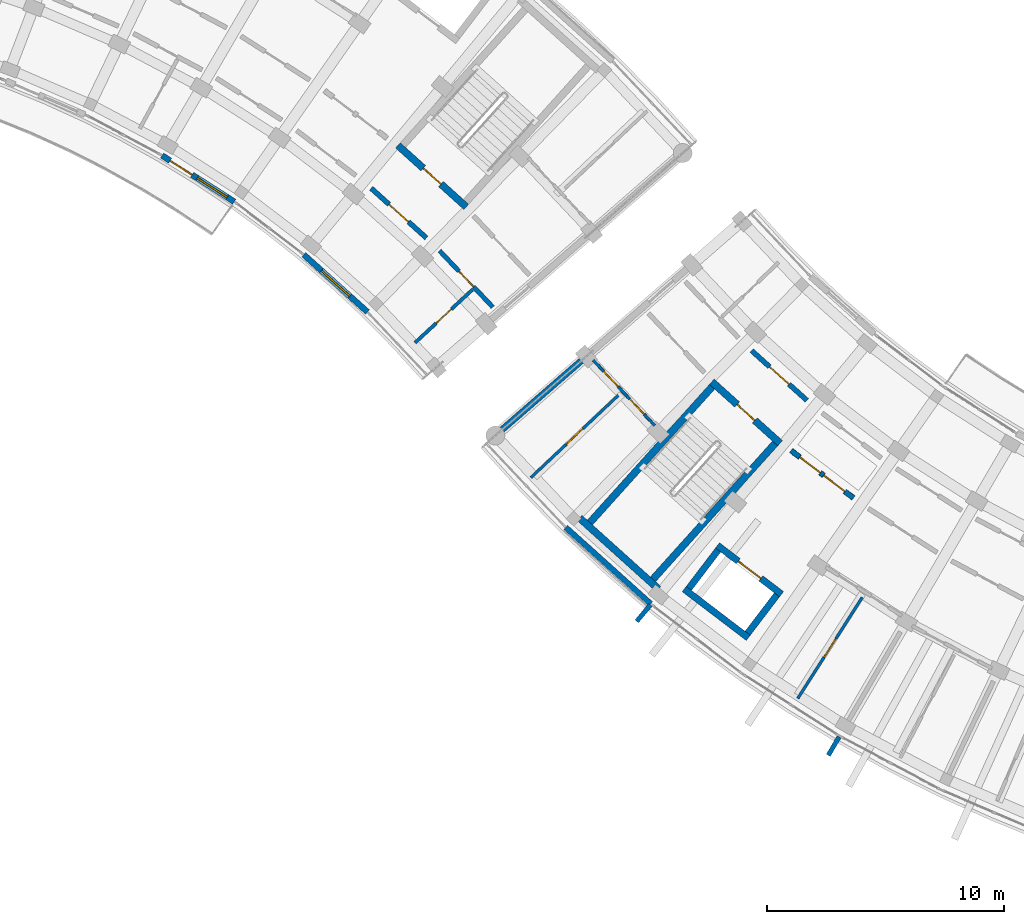
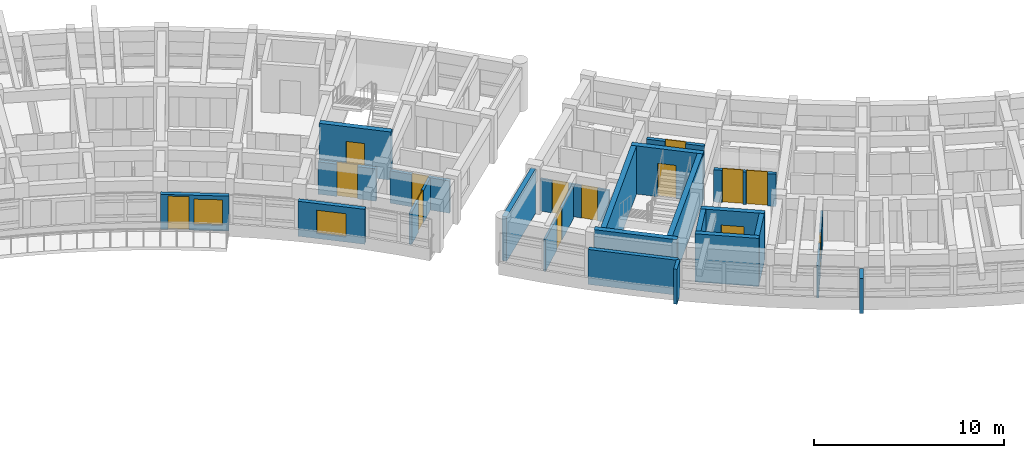
# One storey, part 32 of 56: 23 walls, 14 doors, 2 windows, 16 openings.
"""IFC4 building model written with IfcOpenShell, lengths in metres."""

from ifc_helpers import new_model, si_unit, direction, frame, frame_2d, origin, place, context, subcontext, project, spatial, rectangle, extrude, material, layer, layer_set, type_object, element, fill, save


model = new_model("IFC4")

# Units and contexts
model_context = context("Model", 3, precision=1e-05, world=origin(), true_north=direction((0.0, 1.0)))
body_context = subcontext(model_context, "Body", "Model", "MODEL_VIEW")
ifc_project = project(units=[si_unit("LENGTHUNIT", "METRE"), si_unit("AREAUNIT", "SQUARE_METRE"), si_unit("VOLUMEUNIT", "CUBIC_METRE"), si_unit("PLANEANGLEUNIT", "RADIAN"), si_unit("MASSUNIT", "GRAM", prefix="KILO")], contexts=[model_context])

# Site, building, storey
site_placement = place(None, origin())
site = spatial("IfcSite", under=ifc_project, at=site_placement, CompositionType="ELEMENT")
building_placement = place(site_placement, origin())
building = spatial("IfcBuilding", under=site, at=building_placement, Name="Zimvara Arc Housing Community", CompositionType="ELEMENT")
storey_placement = place(building_placement, frame((0.0, 0.0, 11.199951171875)))
storey = spatial("IfcBuildingStorey", under=building, at=storey_placement, Name="L03", CompositionType="ELEMENT", Elevation=11.199951171875)

# Walls
ifc_material_1 = material(Name="Board-Marked Fair-Faced Concrete C35/45", Category="concrete")
ifc_layer_1 = layer(ifc_material_1, 0.239990234375)
ifc_layer_set_1 = layer_set([ifc_layer_1], Name="Board-Marked Fair-Faced Concrete C35/45")
wall_type_1 = type_object("IfcWallType", Name="EWL-CONC-240", PredefinedType="SOLIDWALL", material=ifc_layer_set_1)
wall_1_placement = place(storey_placement, frame((84.508056640625, 67.36328125, 0.0), z_axis=(0.0, 0.0, 1.0), x_axis=(0.743387539862, -0.668860946369, 0.0)))
element("IfcWall", 1, at=wall_1_placement, inside=storey, type_object=wall_type_1, Name="ewall:blkC:L03:out:b1", PredefinedType="SOLIDWALL", context=body_context, shape_type="SweptSolid", body=[
    extrude(rectangle(XDim=4.80908203125, YDim=0.239990234375, at=frame_2d((2.404541015625, 0.0))), origin(), (0.0, 0.0, 1.0), 2.25),
])
ifc_material_2 = material(Name="Board-Marked Fair-Faced Concrete C35/45", Category="concrete")
ifc_layer_2 = layer(ifc_material_2, 0.195068359375)
ifc_layer_set_2 = layer_set([ifc_layer_2], Name="Board-Marked Fair-Faced Concrete C35/45")
wall_type_2 = type_object("IfcWallType", Name="EWL-PARA-195", PredefinedType="PARAPET", material=ifc_layer_set_2)
wall_2_placement = place(storey_placement, frame((88.072265625, 64.1025390625, 0.0), z_axis=(0.0, 0.0, 1.0), x_axis=(-0.637967316825, -0.770063440674, 0.0)))
element("IfcWall", 2, at=wall_2_placement, inside=storey, type_object=wall_type_2, Name="finwall:blkC:L03:out:b2", PredefinedType="PARAPET", context=body_context, shape_type="SweptSolid", body=[
    extrude(rectangle(XDim=0.900146484375, YDim=0.195068359375, at=frame_2d((0.4501953125, 0.0))), origin(), (0.0, 0.0, 1.0), 2.25),
])
wall_3_placement = place(storey_placement, frame((96.018798828125, 58.546630859375, 0.0), z_axis=(0.0, 0.0, 1.0), x_axis=(-0.504005947934, -0.863700182035, 0.0)))
element("IfcWall", 3, at=wall_3_placement, inside=storey, type_object=wall_type_2, Name="finwall:blkC:L03:out:b4", PredefinedType="PARAPET", context=body_context, shape_type="SweptSolid", body=[
    extrude(rectangle(XDim=0.89990234375, YDim=0.195068359375, at=frame_2d((0.449951171875, 0.0))), origin(), (0.0, 0.0, 1.0), 2.25),
])

# Wall, openings, door, window
ifc_material_3 = material(Name="Pigmented Fair-Faced Concrete C35/45", Category="concrete")
ifc_layer_3 = layer(ifc_material_3, 0.2451171875)
ifc_layer_set_3 = layer_set([ifc_layer_3], Name="Pigmented Fair-Faced Concrete C35/45")
wall_type_3 = type_object("IfcWallType", Name="EWL-PIGM-245", PredefinedType="SOLIDWALL", material=ifc_layer_set_3)
wall_4_placement = place(storey_placement, frame((67.515380859375, 83.021728515625, 0.0), z_axis=(0.0, 0.0, 1.0), x_axis=(0.84225540507, -0.539078688718, 0.0)))
wall_4 = element("IfcWall", 4, at=wall_4_placement, inside=storey, type_object=wall_type_3, Name="ewall:blkB:L03:in:b6", PredefinedType="SOLIDWALL", context=body_context, shape_type="SweptSolid", body=[
    extrude(rectangle(XDim=3.603515625, YDim=0.2451171875, at=frame_2d((1.8017578125, 0.0))), origin(), (0.0, 0.0, 1.0), 2.25),
])
opening_1_placement = place(wall_4_placement, frame((0.39990234375, 0.0, 0.0)))
opening_1 = element("IfcOpeningElement", 5, at=opening_1_placement, cuts=wall_4, Name="Opening ED06", PredefinedType="OPENING", context=body_context, shape_type="SweptSolid", body=[
    extrude(rectangle(XDim=1.10009765625, YDim=2.14990234375, at=frame_2d((0.550048828125, 1.074951171875))), frame((0.0, 0.132568359375, 0.0), z_axis=(0.0, -1.0, 0.0), x_axis=(1.0, 0.0, 0.0)), (0.0, 0.0, 1.0), 0.26513671875),
])
opening_2_placement = place(wall_4_placement, frame((1.753662109375, 0.0, 0.35009765625)))
opening_2 = element("IfcOpeningElement", 6, at=opening_2_placement, cuts=wall_4, Name="Opening W07", PredefinedType="OPENING", context=body_context, shape_type="SweptSolid", body=[
    extrude(rectangle(XDim=1.5, YDim=1.64990234375, at=frame_2d((0.75, 0.824951171875))), frame((0.0, 0.132568359375, 0.0), z_axis=(0.0, -1.0, 0.0), x_axis=(1.0, 0.0, 0.0)), (0.0, 0.0, 1.0), 0.26513671875),
])
ifc_material_4 = material(Name="Anodised Aluminium AW-6063", Category="aluminium")
door_type_1 = type_object("IfcDoorType", Name="EDR-TERR-1100x2150", OperationType="NOTDEFINED", PredefinedType="DOOR", material=ifc_material_4)
door_1_placement = place(opening_1_placement, origin())
door_1 = element("IfcDoor", 7, at=door_1_placement, inside=storey, type_object=door_type_1, Name="edoor:blkB:L03:bal_in:b6", OperationType="SINGLE_SWING_RIGHT", OverallHeight=2.14990234375, OverallWidth=1.10009765625, PredefinedType="DOOR", context=body_context, shape_type="SweptSolid", body=[
    extrude(rectangle(XDim=1.10009765625, YDim=2.14990234375, at=frame_2d((0.550048828125, 1.074951171875))), frame((0.0, 0.02490234375, 0.0), z_axis=(0.0, -1.0, 0.0), x_axis=(1.0, 0.0, 0.0)), (0.0, 0.0, 1.0), 0.050048828125),
])
fill(opening_1, door_1)
ifc_material_5 = material(Name="Solar Control Low-E Double Glazing", Category="glass")
window_type_1 = type_object("IfcWindowType", Name="WIN-RES-1500x1650", PartitioningType="DOUBLE_PANEL_VERTICAL", PredefinedType="WINDOW", material=ifc_material_5)
window_1_placement = place(opening_2_placement, origin())
window_1 = element("IfcWindow", 8, at=window_1_placement, inside=storey, type_object=window_type_1, Name="win:blkB:L03:in:b6:balw", OverallHeight=1.64990234375, OverallWidth=1.5, PartitioningType="DOUBLE_PANEL_VERTICAL", PredefinedType="WINDOW", context=body_context, shape_type="SweptSolid", body=[
    extrude(rectangle(XDim=1.5, YDim=1.64990234375, at=frame_2d((0.75, 0.824951171875))), frame((0.0, 0.030029296875, 0.0), z_axis=(0.0, -1.0, 0.0), x_axis=(1.0, 0.0, 0.0)), (0.0, 0.0, 1.0), 0.06005859375),
])
fill(opening_2, window_1)

# Wall, opening, window
wall_5_placement = place(storey_placement, frame((73.480712890625, 78.84716796875, 0.0), z_axis=(0.0, 0.0, 1.0), x_axis=(0.743385092197, -0.668863666751, 0.0)))
wall_5 = element("IfcWall", 9, at=wall_5_placement, inside=storey, type_object=wall_type_3, Name="ewall:blkB:L03:in:b8", PredefinedType="SOLIDWALL", context=body_context, shape_type="SweptSolid", body=[
    extrude(rectangle(XDim=3.603759765625, YDim=0.2451171875, at=frame_2d((1.8017578125, 0.0))), origin(), (0.0, 0.0, 1.0), 2.25),
])
opening_3_placement = place(wall_5_placement, frame((1.001708984375, 0.0, 0.320068359375)))
opening_3 = element("IfcOpeningElement", 10, at=opening_3_placement, cuts=wall_5, Name="Opening W03", PredefinedType="OPENING", context=body_context, shape_type="SweptSolid", body=[
    extrude(rectangle(XDim=1.60009765625, YDim=1.5, at=frame_2d((0.800048828125, 0.75))), frame((0.0, 0.132568359375, 0.0), z_axis=(0.0, -1.0, 0.0), x_axis=(1.0, 0.0, 0.0)), (0.0, 0.0, 1.0), 0.26513671875),
])
ifc_material_6 = material(Name="Solar Control Low-E Double Glazing", Category="glass")
window_type_2 = type_object("IfcWindowType", Name="WIN-RES-1600x1500", PartitioningType="DOUBLE_PANEL_VERTICAL", PredefinedType="WINDOW", material=ifc_material_6)
window_2_placement = place(opening_3_placement, origin())
window_2 = element("IfcWindow", 11, at=window_2_placement, inside=storey, type_object=window_type_2, Name="win:blkB:L03:in:b8", OverallHeight=1.5, OverallWidth=1.60009765625, PartitioningType="DOUBLE_PANEL_VERTICAL", PredefinedType="WINDOW", context=body_context, shape_type="SweptSolid", body=[
    extrude(rectangle(XDim=1.60009765625, YDim=1.5, at=frame_2d((0.800048828125, 0.75))), frame((0.0, 0.030029296875, 0.0), z_axis=(0.0, -1.0, 0.0), x_axis=(1.0, 0.0, 0.0)), (0.0, 0.0, 1.0), 0.06005859375),
])
fill(opening_3, window_2)

# Wall, opening, door
ifc_material_7 = material(Name="Concrete C35/45", Category="concrete")
ifc_layer_4 = layer(ifc_material_7, 0.2099609375)
ifc_layer_set_4 = layer_set([ifc_layer_4], Name="Concrete C35/45")
wall_type_4 = type_object("IfcWallType", Name="IWL-CCF-210", PredefinedType="SOLIDWALL", material=ifc_layer_set_4)
wall_6_placement = place(storey_placement, frame((76.317138671875, 81.644287109375, 0.0), z_axis=(0.0, 0.0, 1.0), x_axis=(0.743387266925, -0.668861249718, 0.0)))
wall_6 = element("IfcWall", 12, at=wall_6_placement, inside=storey, type_object=wall_type_4, Name="iwall:blkB:L03:ccf_div:b8", PredefinedType="SOLIDWALL", context=body_context, shape_type="SweptSolid", body=[
    extrude(rectangle(XDim=3.12841796875, YDim=0.2099609375, at=frame_2d((1.564208984375, 0.0))), origin(), (0.0, 0.0, 1.0), 2.080078125),
])
opening_4_placement = place(wall_6_placement, frame((1.014404296875, 0.0, 0.0)))
opening_4 = element("IfcOpeningElement", 13, at=opening_4_placement, cuts=wall_6, Name="Opening FD-CCF1", PredefinedType="OPENING", context=body_context, shape_type="SweptSolid", body=[
    extrude(rectangle(XDim=1.10009765625, YDim=2.14990234375, at=frame_2d((0.550048828125, 1.074951171875))), frame((0.0, 0.114990234375, 0.0), z_axis=(0.0, -1.0, 0.0), x_axis=(1.0, 0.0, 0.0)), (0.0, 0.0, 1.0), 0.22998046875),
])
ifc_material_8 = material(Name="Anodised Aluminium AW-6063", Category="aluminium")
door_type_2 = type_object("IfcDoorType", Name="IDR-CCF-1100x2150", OperationType="NOTDEFINED", PredefinedType="DOOR", material=ifc_material_8)
door_2_placement = place(opening_4_placement, origin())
door_2 = element("IfcDoor", 14, at=door_2_placement, inside=storey, type_object=door_type_2, Name="idoor:blkB:L03:ccf_in:b8", OperationType="SINGLE_SWING_RIGHT", OverallHeight=2.14990234375, OverallWidth=1.10009765625, PredefinedType="DOOR", context=body_context, shape_type="SweptSolid", body=[
    extrude(rectangle(XDim=1.10009765625, YDim=2.14990234375, at=frame_2d((0.550048828125, 1.074951171875))), frame((0.0, 0.02490234375, 0.0), z_axis=(0.0, -1.0, 0.0), x_axis=(1.0, 0.0, 0.0)), (0.0, 0.0, 1.0), 0.050048828125),
])
fill(opening_4, door_2)

wall_7_placement = place(storey_placement, frame((92.337158203125, 74.808349609375, 0.0), z_axis=(0.0, 0.0, 1.0), x_axis=(0.743348465558, -0.668904371904, 0.0)))
wall_7 = element("IfcWall", 15, at=wall_7_placement, inside=storey, type_object=wall_type_4, Name="iwall:blkC:L03:ccf_div:b1", PredefinedType="SOLIDWALL", context=body_context, shape_type="SweptSolid", body=[
    extrude(rectangle(XDim=3.128662109375, YDim=0.2099609375, at=frame_2d((1.564453125, 0.0))), origin(), (0.0, 0.0, 1.0), 2.080078125),
])
opening_5_placement = place(wall_7_placement, frame((1.014404296875, 0.0, 0.0)))
opening_5 = element("IfcOpeningElement", 16, at=opening_5_placement, cuts=wall_7, Name="Opening FD-CCF1", PredefinedType="OPENING", context=body_context, shape_type="SweptSolid", body=[
    extrude(rectangle(XDim=1.10009765625, YDim=2.14990234375, at=frame_2d((0.550048828125, 1.074951171875))), frame((0.0, 0.114990234375, 0.0), z_axis=(0.0, -1.0, 0.0), x_axis=(1.0, 0.0, 0.0)), (0.0, 0.0, 1.0), 0.22998046875),
])
door_3_placement = place(opening_5_placement, origin())
door_3 = element("IfcDoor", 17, at=door_3_placement, inside=storey, type_object=door_type_2, Name="idoor:blkC:L03:ccf_in:b1", OperationType="SINGLE_SWING_LEFT", OverallHeight=2.14990234375, OverallWidth=1.10009765625, PredefinedType="DOOR", context=body_context, shape_type="SweptSolid", body=[
    extrude(rectangle(XDim=1.10009765625, YDim=2.14990234375, at=frame_2d((0.550048828125, 1.074951171875))), frame((0.0, 0.02490234375, 0.0), z_axis=(0.0, -1.0, 0.0), x_axis=(1.0, 0.0, 0.0)), (0.0, 0.0, 1.0), 0.050048828125),
])
fill(opening_5, door_3)

# Wall, openings, doors
wall_8_placement = place(storey_placement, frame((94.001220703125, 70.6015625, 0.0), z_axis=(0.0, 0.0, 1.0), x_axis=(0.795498026433, -0.605956178235, 0.0)))
wall_8 = element("IfcWall", 18, at=wall_8_placement, inside=storey, type_object=wall_type_4, Name="iwall:blkC:L03:ll_div:b2", PredefinedType="SOLIDWALL", context=body_context, shape_type="SweptSolid", body=[
    extrude(rectangle(XDim=3.296142578125, YDim=0.2099609375, at=frame_2d((1.64794921875, 0.0))), origin(), (0.0, 0.0, 1.0), 2.080078125),
])
opening_6_placement = place(wall_8_placement, frame((0.449951171875, 0.0, 0.0)))
opening_6 = element("IfcOpeningElement", 19, at=opening_6_placement, cuts=wall_8, Name="Opening FD-CCF1", PredefinedType="OPENING", context=body_context, shape_type="SweptSolid", body=[
    extrude(rectangle(XDim=1.10009765625, YDim=2.14990234375, at=frame_2d((0.550048828125, 1.074951171875))), frame((0.0, 0.114990234375, 0.0), z_axis=(0.0, -1.0, 0.0), x_axis=(1.0, 0.0, 0.0)), (0.0, 0.0, 1.0), 0.22998046875),
])
opening_7_placement = place(wall_8_placement, frame((1.72607421875, 0.0, 0.0)))
opening_7 = element("IfcOpeningElement", 20, at=opening_7_placement, cuts=wall_8, Name="Opening D07", PredefinedType="OPENING", context=body_context, shape_type="SweptSolid", body=[
    extrude(rectangle(XDim=1.1201171875, YDim=2.14990234375, at=frame_2d((0.56005859375, 1.074951171875))), frame((0.0, 0.114990234375, 0.0), z_axis=(0.0, -1.0, 0.0), x_axis=(1.0, 0.0, 0.0)), (0.0, 0.0, 1.0), 0.22998046875),
])
ifc_material_9 = material(Name="Mozambican Hardwood", Category="wood")
door_type_3 = type_object("IfcDoorType", Name="IDR-AMN-1120x2150", OperationType="NOTDEFINED", PredefinedType="DOOR", material=ifc_material_9)
door_4_placement = place(opening_7_placement, origin())
door_4 = element("IfcDoor", 21, at=door_4_placement, inside=storey, type_object=door_type_3, Name="idoor:blkC:L03:rs_in:b2", OperationType="SINGLE_SWING_LEFT", OverallHeight=2.14990234375, OverallWidth=1.1201171875, PredefinedType="DOOR", context=body_context, shape_type="SweptSolid", body=[
    extrude(rectangle(XDim=1.1201171875, YDim=2.14990234375, at=frame_2d((0.56005859375, 1.074951171875))), frame((0.0, 0.02490234375, 0.0), z_axis=(0.0, -1.0, 0.0), x_axis=(1.0, 0.0, 0.0)), (0.0, 0.0, 1.0), 0.050048828125),
])
fill(opening_7, door_4)
door_5_placement = place(opening_6_placement, origin())
door_5 = element("IfcDoor", 22, at=door_5_placement, inside=storey, type_object=door_type_2, Name="idoor:blkC:L03:ll_in:b2", OperationType="SINGLE_SWING_RIGHT", OverallHeight=2.14990234375, OverallWidth=1.10009765625, PredefinedType="DOOR", context=body_context, shape_type="SweptSolid", body=[
    extrude(rectangle(XDim=1.10009765625, YDim=2.14990234375, at=frame_2d((0.550048828125, 1.074951171875))), frame((0.0, 0.02490234375, 0.0), z_axis=(0.0, -1.0, 0.0), x_axis=(1.0, 0.0, 0.0)), (0.0, 0.0, 1.0), 0.050048828125),
])
fill(opening_6, door_5)

# Wall, opening, door
ifc_material_10 = material(Name="Concrete C35/45", Category="concrete")
ifc_layer_5 = layer(ifc_material_10, 0.18994140625)
ifc_layer_set_5 = layer_set([ifc_layer_5], Name="Concrete C35/45")
wall_type_5 = type_object("IfcWallType", Name="IWL-CORR-190", PredefinedType="SOLIDWALL", material=ifc_layer_set_5)
wall_9_placement = place(storey_placement, frame((79.1953125, 79.016357421875, 0.0), z_axis=(0.0, 0.0, 1.0), x_axis=(0.686307658735, -0.727311348434, 0.0)))
wall_9 = element("IfcWall", 23, at=wall_9_placement, inside=storey, type_object=wall_type_5, Name="iwall:blkB:L03:corr_in:b9", PredefinedType="SOLIDWALL", context=body_context, shape_type="SweptSolid", body=[
    extrude(rectangle(XDim=3.268798828125, YDim=0.18994140625, at=frame_2d((1.63427734375, 0.0))), origin(), (0.0, 0.0, 1.0), 2.080078125),
])
opening_8_placement = place(wall_9_placement, frame((1.184326171875, 0.0, 0.0)))
opening_8 = element("IfcOpeningElement", 24, at=opening_8_placement, cuts=wall_9, Name="Opening D01", PredefinedType="OPENING", context=body_context, shape_type="SweptSolid", body=[
    extrude(rectangle(XDim=0.89990234375, YDim=2.10009765625, at=frame_2d((0.449951171875, 1.050048828125))), frame((0.0, 0.10498046875, 0.0), z_axis=(0.0, -1.0, 0.0), x_axis=(1.0, 0.0, 0.0)), (0.0, 0.0, 1.0), 0.2099609375),
])
ifc_material_11 = material(Name="Mozambican Hardwood", Category="wood")
door_type_4 = type_object("IfcDoorType", Name="IDR-RM-0900x2100", OperationType="NOTDEFINED", PredefinedType="DOOR", material=ifc_material_11)
door_6_placement = place(opening_8_placement, origin())
door_6 = element("IfcDoor", 25, at=door_6_placement, inside=storey, type_object=door_type_4, Name="idoor:blkB:L03:in_rm:b9", OperationType="SINGLE_SWING_RIGHT", OverallHeight=2.10009765625, OverallWidth=0.89990234375, PredefinedType="DOOR", context=body_context, shape_type="SweptSolid", body=[
    extrude(rectangle(XDim=0.89990234375, YDim=2.10009765625, at=frame_2d((0.449951171875, 1.050048828125))), frame((0.0, 0.02490234375, 0.0), z_axis=(0.0, -1.0, 0.0), x_axis=(1.0, 0.0, 0.0)), (0.0, 0.0, 1.0), 0.050048828125),
])
fill(opening_8, door_6)

# Wall, openings, doors
ifc_material_12 = material(Name="Painted Acoustic Plasterboard")
ifc_layer_6 = layer(ifc_material_12, 0.114990234375)
ifc_layer_set_6 = layer_set([ifc_layer_6], Name="Painted Acoustic Plasterboard")
wall_type_6 = type_object("IfcWallType", Name="IWL-PART-115", PredefinedType="PARTITIONING", material=ifc_layer_set_6)
wall_10_placement = place(storey_placement, frame((85.657958984375, 74.411376953125, 0.0), z_axis=(0.0, 0.0, 1.0), x_axis=(0.686364008772, -0.727258171121, 0.0)))
wall_10 = element("IfcWall", 26, at=wall_10_placement, inside=storey, type_object=wall_type_6, Name="iwall:blkC:L03:srv:b0", PredefinedType="PARTITIONING", context=body_context, shape_type="SweptSolid", body=[
    extrude(rectangle(XDim=3.784912109375, YDim=0.114990234375, at=frame_2d((1.892578125, 0.0))), origin(), (0.0, 0.0, 1.0), 2.080078125),
])
opening_9_placement = place(wall_10_placement, frame((0.64990234375, 0.0, 0.0)))
opening_9 = element("IfcOpeningElement", 27, at=opening_9_placement, cuts=wall_10, Name="Opening D01", PredefinedType="OPENING", context=body_context, shape_type="SweptSolid", body=[
    extrude(rectangle(XDim=0.89990234375, YDim=2.10009765625, at=frame_2d((0.449951171875, 1.050048828125))), frame((0.0, 0.0673828125, 0.0), z_axis=(0.0, -1.0, 0.0), x_axis=(1.0, 0.0, 0.0)), (0.0, 0.0, 1.0), 0.135009765625),
])
opening_10_placement = place(wall_10_placement, frame((2.255126953125, 0.0, 0.0)))
opening_10 = element("IfcOpeningElement", 28, at=opening_10_placement, cuts=wall_10, Name="Opening D05", PredefinedType="OPENING", context=body_context, shape_type="SweptSolid", body=[
    extrude(rectangle(XDim=0.8798828125, YDim=2.10009765625, at=frame_2d((0.43994140625, 1.050048828125))), frame((0.0, 0.0673828125, 0.0), z_axis=(0.0, -1.0, 0.0), x_axis=(1.0, 0.0, 0.0)), (0.0, 0.0, 1.0), 0.135009765625),
])
door_7_placement = place(opening_9_placement, origin())
door_7 = element("IfcDoor", 29, at=door_7_placement, inside=storey, type_object=door_type_4, Name="idoor:blkC:L03:kit_liv:b0", OperationType="SINGLE_SWING_RIGHT", OverallHeight=2.10009765625, OverallWidth=0.89990234375, PredefinedType="DOOR", context=body_context, shape_type="SweptSolid", body=[
    extrude(rectangle(XDim=0.89990234375, YDim=2.10009765625, at=frame_2d((0.449951171875, 1.050048828125))), frame((0.0, 0.02490234375, 0.0), z_axis=(0.0, -1.0, 0.0), x_axis=(1.0, 0.0, 0.0)), (0.0, 0.0, 1.0), 0.050048828125),
])
fill(opening_9, door_7)
ifc_material_13 = material(Name="Mozambican Hardwood", Category="wood")
door_type_5 = type_object("IfcDoorType", Name="IDR-WC-0880x2100", OperationType="NOTDEFINED", PredefinedType="DOOR", material=ifc_material_13)
door_8_placement = place(opening_10_placement, origin())
door_8 = element("IfcDoor", 30, at=door_8_placement, inside=storey, type_object=door_type_5, Name="idoor:blkC:L03:bath_d:b0", OperationType="SINGLE_SWING_LEFT", OverallHeight=2.10009765625, OverallWidth=0.8798828125, PredefinedType="DOOR", context=body_context, shape_type="SweptSolid", body=[
    extrude(rectangle(XDim=0.8798828125, YDim=2.10009765625, at=frame_2d((0.43994140625, 1.050048828125))), frame((0.0, 0.02490234375, 0.0), z_axis=(0.0, -1.0, 0.0), x_axis=(1.0, 0.0, 0.0)), (0.0, 0.0, 1.0), 0.050048828125),
])
fill(opening_10, door_8)

# Wall, opening, door
ifc_material_14 = material(Name="Painted Acoustic Plasterboard")
ifc_layer_7 = layer(ifc_material_14, 0.1201171875)
ifc_layer_set_7 = layer_set([ifc_layer_7], Name="Painted Acoustic Plasterboard")
wall_type_7 = type_object("IfcWallType", Name="IWL-PART-120", PredefinedType="PARTITIONING", material=ifc_layer_set_7)
wall_11_placement = place(storey_placement, frame((86.72314453125, 72.92626953125, 0.0), z_axis=(0.0, 0.0, 1.0), x_axis=(-0.72831636485, -0.685241032551, 0.0)))
wall_11 = element("IfcWall", 31, at=wall_11_placement, inside=storey, type_object=wall_type_7, Name="iwall:blkC:L03:bed_div:b0", PredefinedType="PARTITIONING", context=body_context, shape_type="SweptSolid", body=[
    extrude(rectangle(XDim=5.050048828125, YDim=0.1201171875, at=frame_2d((2.52490234375, 0.0))), origin(), (0.0, 0.0, 1.0), 2.080078125),
])
opening_11_placement = place(wall_11_placement, frame((2.044921875, 0.0, 0.0)))
opening_11 = element("IfcOpeningElement", 32, at=opening_11_placement, cuts=wall_11, Name="Opening D04", PredefinedType="OPENING", context=body_context, shape_type="SweptSolid", body=[
    extrude(rectangle(XDim=0.9599609375, YDim=2.10009765625, at=frame_2d((0.47998046875, 1.050048828125))), frame((0.0, 0.070068359375, 0.0), z_axis=(0.0, -1.0, 0.0), x_axis=(1.0, 0.0, 0.0)), (0.0, 0.0, 1.0), 0.14013671875),
])
ifc_material_15 = material(Name="Mozambican Hardwood", Category="wood")
door_type_6 = type_object("IfcDoorType", Name="IDR-RM-0960x2100", OperationType="NOTDEFINED", PredefinedType="DOOR", material=ifc_material_15)
door_9_placement = place(opening_11_placement, origin())
door_9 = element("IfcDoor", 33, at=door_9_placement, inside=storey, type_object=door_type_6, Name="idoor:blkC:L03:bed_d:b0", OperationType="SINGLE_SWING_RIGHT", OverallHeight=2.10009765625, OverallWidth=0.9599609375, PredefinedType="DOOR", context=body_context, shape_type="SweptSolid", body=[
    extrude(rectangle(XDim=0.9599609375, YDim=2.10009765625, at=frame_2d((0.47998046875, 1.050048828125))), frame((0.0, 0.02490234375, 0.0), z_axis=(0.0, -1.0, 0.0), x_axis=(1.0, 0.0, 0.0)), (0.0, 0.0, 1.0), 0.050048828125),
])
fill(opening_11, door_9)

wall_12_placement = place(storey_placement, frame((96.992919921875, 64.418212890625, 0.0), z_axis=(0.0, 0.0, 1.0), x_axis=(-0.537785480308, -0.843081714409, 0.0)))
wall_12 = element("IfcWall", 34, at=wall_12_placement, inside=storey, type_object=wall_type_7, Name="iwall:blkC:L03:bed_div:b3", PredefinedType="PARTITIONING", context=body_context, shape_type="SweptSolid", body=[
    extrude(rectangle(XDim=5.050048828125, YDim=0.1201171875, at=frame_2d((2.52490234375, 0.0))), origin(), (0.0, 0.0, 1.0), 2.080078125),
])
opening_12_placement = place(wall_12_placement, frame((2.06005859375, 0.0, 0.0)))
opening_12 = element("IfcOpeningElement", 35, at=opening_12_placement, cuts=wall_12, Name="Opening D13", PredefinedType="OPENING", context=body_context, shape_type="SweptSolid", body=[
    extrude(rectangle(XDim=0.929931640625, YDim=2.10009765625, at=frame_2d((0.46484375, 1.050048828125))), frame((0.0, 0.070068359375, 0.0), z_axis=(0.0, -1.0, 0.0), x_axis=(1.0, 0.0, 0.0)), (0.0, 0.0, 1.0), 0.14013671875),
])
ifc_material_16 = material(Name="Mozambican Hardwood", Category="wood")
door_type_7 = type_object("IfcDoorType", Name="IDR-MOD-930x2180", OperationType="NOTDEFINED", PredefinedType="DOOR", material=ifc_material_16)
door_10_placement = place(opening_12_placement, origin())
door_10 = element("IfcDoor", 36, at=door_10_placement, inside=storey, type_object=door_type_7, Name="idoor:blkC:L03:bed_d:b3", OperationType="SINGLE_SWING_LEFT", OverallHeight=2.10009765625, OverallWidth=0.929931640625, PredefinedType="DOOR", context=body_context, shape_type="SweptSolid", body=[
    extrude(rectangle(XDim=0.929931640625, YDim=2.10009765625, at=frame_2d((0.46484375, 1.050048828125))), frame((0.0, 0.02490234375, 0.0), z_axis=(0.0, -1.0, 0.0), x_axis=(1.0, 0.0, 0.0)), (0.0, 0.0, 1.0), 0.050048828125),
])
fill(opening_12, door_10)

ifc_material_17 = material(Name="Painted Acoustic Plasterboard")
ifc_layer_8 = layer(ifc_material_17, 0.14501953125)
ifc_layer_set_8 = layer_set([ifc_layer_8], Name="Painted Acoustic Plasterboard")
wall_type_8 = type_object("IfcWallType", Name="IWL-WET-145", PredefinedType="PARTITIONING", material=ifc_layer_set_8)
wall_13_placement = place(storey_placement, frame((78.16259765625, 75.139404296875, 0.0), z_axis=(0.0, 0.0, 1.0), x_axis=(0.734519733107, 0.678587327967, 0.0)))
wall_13 = element("IfcWall", 37, at=wall_13_placement, inside=storey, type_object=wall_type_8, Name="iwall:blkB:L03:ens:b9", PredefinedType="PARTITIONING", context=body_context, shape_type="SweptSolid", body=[
    extrude(rectangle(XDim=3.2998046875, YDim=0.14501953125, at=frame_2d((1.64990234375, 0.0))), origin(), (0.0, 0.0, 1.0), 2.080078125),
])
opening_13_placement = place(wall_13_placement, frame((1.2099609375, 0.0, 0.0)))
opening_13 = element("IfcOpeningElement", 38, at=opening_13_placement, cuts=wall_13, Name="Opening D05", PredefinedType="OPENING", context=body_context, shape_type="SweptSolid", body=[
    extrude(rectangle(XDim=0.8798828125, YDim=2.10009765625, at=frame_2d((0.43994140625, 1.050048828125))), frame((0.0, 0.08251953125, 0.0), z_axis=(0.0, -1.0, 0.0), x_axis=(1.0, 0.0, 0.0)), (0.0, 0.0, 1.0), 0.1650390625),
])
door_11_placement = place(opening_13_placement, origin())
door_11 = element("IfcDoor", 39, at=door_11_placement, inside=storey, type_object=door_type_5, Name="idoor:blkB:L03:ens_d:b9", OperationType="SINGLE_SWING_LEFT", OverallHeight=2.10009765625, OverallWidth=0.8798828125, PredefinedType="DOOR", context=body_context, shape_type="SweptSolid", body=[
    extrude(rectangle(XDim=0.8798828125, YDim=2.10009765625, at=frame_2d((0.43994140625, 1.050048828125))), frame((0.0, 0.02490234375, 0.0), z_axis=(0.0, -1.0, 0.0), x_axis=(1.0, 0.0, 0.0)), (0.0, 0.0, 1.0), 0.050048828125),
])
fill(opening_13, door_11)

ifc_material_18 = material(Name="Concrete C40/50", Category="concrete")
ifc_layer_9 = layer(ifc_material_18, 0.280029296875)
ifc_layer_set_9 = layer_set([ifc_layer_9], Name="Concrete C40/50")
wall_type_9 = type_object("IfcWallType", Name="WL-CORE-280", PredefinedType="SHEAR", material=ifc_layer_set_9)
wall_14_placement = place(storey_placement, frame((90.8994140625, 66.607177734375, 0.0), z_axis=(0.0, 0.0, 1.0), x_axis=(0.795439986025, -0.606032365994, 0.0)))
wall_14 = element("IfcWall", 40, at=wall_14_placement, inside=storey, type_object=wall_type_9, Name="lwall:LF-C1:L03:front", PredefinedType="SHEAR", context=body_context, shape_type="SweptSolid", body=[
    extrude(rectangle(XDim=3.389892578125, YDim=0.280029296875, at=frame_2d((1.69482421875, 0.0))), origin(), (0.0, 0.0, 1.0), 3.10009765625),
])
opening_14_placement = place(wall_14_placement, frame((1.094970703125, 0.0, 0.0)))
opening_14 = element("IfcOpeningElement", 41, at=opening_14_placement, cuts=wall_14, Name="Opening LD-LF-C1", PredefinedType="OPENING", context=body_context, shape_type="SweptSolid", body=[
    extrude(rectangle(XDim=1.199951171875, YDim=2.14990234375, at=frame_2d((0.60009765625, 1.074951171875))), frame((0.0, 0.14990234375, 0.0), z_axis=(0.0, -1.0, 0.0), x_axis=(1.0, 0.0, 0.0)), (0.0, 0.0, 1.0), 0.300048828125),
])
ifc_material_19 = material(Name="Anodised Aluminium AW-6063", Category="aluminium")
door_type_8 = type_object("IfcDoorType", Name="IDR-LD-1200x2150", OperationType="DOUBLE_DOOR_SLIDING", PredefinedType="DOOR", material=ifc_material_19)
door_12_placement = place(opening_14_placement, origin())
door_12 = element("IfcDoor", 42, at=door_12_placement, inside=storey, type_object=door_type_8, Name="Lift LF-C1 Sliding Landing Door L03", OperationType="DOUBLE_DOOR_SLIDING", OverallHeight=2.14990234375, OverallWidth=1.199951171875, PredefinedType="DOOR", context=body_context, shape_type="SweptSolid", body=[
    extrude(rectangle(XDim=1.199951171875, YDim=2.14990234375, at=frame_2d((0.60009765625, 1.074951171875))), frame((0.0, 0.02490234375, 0.0), z_axis=(0.0, -1.0, 0.0), x_axis=(1.0, 0.0, 0.0)), (0.0, 0.0, 1.0), 0.050048828125),
])
fill(opening_14, door_12)

# Walls
wall_15_placement = place(storey_placement, frame((89.49951171875, 64.76953125, 0.0), z_axis=(0.0, 0.0, 1.0), x_axis=(0.795474703455, -0.605986795371, 0.0)))
element("IfcWall", 43, at=wall_15_placement, inside=storey, type_object=wall_type_9, Name="lwall:LF-C1:L03:back", PredefinedType="SHEAR", context=body_context, shape_type="SweptSolid", body=[
    extrude(rectangle(XDim=3.389892578125, YDim=0.280029296875, at=frame_2d((1.69482421875, 0.0))), origin(), (0.0, 0.0, 1.0), 3.10009765625),
])
wall_16_placement = place(storey_placement, frame((90.92578125, 66.410888671875, 0.0), z_axis=(0.0, 0.0, 1.0), x_axis=(-0.605948992168, -0.795503500238, 0.0)))
element("IfcWall", 44, at=wall_16_placement, inside=storey, type_object=wall_type_9, Name="lwall:LF-C1:L03:left", PredefinedType="SHEAR", context=body_context, shape_type="SweptSolid", body=[
    extrude(rectangle(XDim=2.02978515625, YDim=0.280029296875, at=frame_2d((1.014892578125, 0.0))), origin(), (0.0, 0.0, 1.0), 3.10009765625),
])
wall_17_placement = place(storey_placement, frame((93.399658203125, 64.5263671875, 0.0), z_axis=(0.0, 0.0, 1.0), x_axis=(-0.605891019062, -0.795547656033, 0.0)))
element("IfcWall", 45, at=wall_17_placement, inside=storey, type_object=wall_type_9, Name="lwall:LF-C1:L03:right", PredefinedType="SHEAR", context=body_context, shape_type="SweptSolid", body=[
    extrude(rectangle(XDim=2.030029296875, YDim=0.280029296875, at=frame_2d((1.01513671875, 0.0))), origin(), (0.0, 0.0, 1.0), 3.10009765625),
])

# Wall, opening, door
ifc_material_20 = material(Name="Concrete C40/50", Category="concrete")
ifc_layer_10 = layer(ifc_material_20, 0.300048828125)
ifc_layer_set_10 = layer_set([ifc_layer_10], Name="Concrete C40/50")
wall_type_10 = type_object("IfcWallType", Name="WL-CORE-300", PredefinedType="SHEAR", material=ifc_layer_set_10)
wall_18_placement = place(storey_placement, frame((80.320068359375, 80.861572265625, 0.0), z_axis=(0.0, 0.0, 1.0), x_axis=(-0.743375696158, 0.668874109501, 0.0)))
wall_18 = element("IfcWall", 46, at=wall_18_placement, inside=storey, type_object=wall_type_10, Name="cwall:ST-B2:L03:near", PredefinedType="SHEAR", context=body_context, shape_type="SweptSolid", body=[
    extrude(rectangle(XDim=3.8701171875, YDim=0.300048828125, at=frame_2d((1.93505859375, 0.0))), origin(), (0.0, 0.0, 1.0), 3.10009765625),
])
opening_15_placement = place(wall_18_placement, frame((1.43505859375, 0.0, 0.0)))
opening_15 = element("IfcOpeningElement", 47, at=opening_15_placement, cuts=wall_18, Name="Opening FD-ST1", PredefinedType="OPENING", context=body_context, shape_type="SweptSolid", body=[
    extrude(rectangle(XDim=1.0, YDim=2.14990234375, at=frame_2d((0.5, 1.074951171875))), frame((0.0, 0.159912109375, 0.0), z_axis=(0.0, -1.0, 0.0), x_axis=(1.0, 0.0, 0.0)), (0.0, 0.0, 1.0), 0.320068359375),
])
ifc_material_21 = material(Name="Anodised Aluminium AW-6063", Category="aluminium")
door_type_9 = type_object("IfcDoorType", Name="IDR-ST-1000x2150", OperationType="NOTDEFINED", PredefinedType="DOOR", material=ifc_material_21)
door_13_placement = place(opening_15_placement, origin())
door_13 = element("IfcDoor", 48, at=door_13_placement, inside=storey, type_object=door_type_9, Name="idoor:ST-B2:L03:entry", OperationType="SINGLE_SWING_LEFT", OverallHeight=2.14990234375, OverallWidth=1.0, PredefinedType="DOOR", context=body_context, shape_type="SweptSolid", body=[
    extrude(rectangle(XDim=1.0, YDim=2.14990234375, at=frame_2d((0.5, 1.074951171875))), frame((0.0, 0.02490234375, 0.0), z_axis=(0.0, -1.0, 0.0), x_axis=(1.0, 0.0, 0.0)), (0.0, 0.0, 1.0), 0.050048828125),
])
fill(opening_15, door_13)

wall_19_placement = place(storey_placement, frame((90.659912109375, 73.49853515625, 0.0), z_axis=(0.0, 0.0, 1.0), x_axis=(0.743375696158, -0.668874109501, 0.0)))
wall_19 = element("IfcWall", 49, at=wall_19_placement, inside=storey, type_object=wall_type_10, Name="cwall:ST-C1:L03:near", PredefinedType="SHEAR", context=body_context, shape_type="SweptSolid", body=[
    extrude(rectangle(XDim=3.8701171875, YDim=0.300048828125, at=frame_2d((1.93505859375, 0.0))), origin(), (0.0, 0.0, 1.0), 3.10009765625),
])
opening_16_placement = place(wall_19_placement, frame((1.43505859375, 0.0, 0.0)))
opening_16 = element("IfcOpeningElement", 50, at=opening_16_placement, cuts=wall_19, Name="Opening FD-ST1", PredefinedType="OPENING", context=body_context, shape_type="SweptSolid", body=[
    extrude(rectangle(XDim=1.0, YDim=2.14990234375, at=frame_2d((0.5, 1.074951171875))), frame((0.0, 0.159912109375, 0.0), z_axis=(0.0, -1.0, 0.0), x_axis=(1.0, 0.0, 0.0)), (0.0, 0.0, 1.0), 0.320068359375),
])
door_14_placement = place(opening_16_placement, origin())
door_14 = element("IfcDoor", 51, at=door_14_placement, inside=storey, type_object=door_type_9, Name="idoor:ST-C1:L03:entry", OperationType="SINGLE_SWING_LEFT", OverallHeight=2.14990234375, OverallWidth=1.0, PredefinedType="DOOR", context=body_context, shape_type="SweptSolid", body=[
    extrude(rectangle(XDim=1.0, YDim=2.14990234375, at=frame_2d((0.5, 1.074951171875))), frame((0.0, 0.02490234375, 0.0), z_axis=(0.0, -1.0, 0.0), x_axis=(1.0, 0.0, 0.0)), (0.0, 0.0, 1.0), 0.050048828125),
])
fill(opening_16, door_14)

# Walls
wall_20_placement = place(storey_placement, frame((85.092529296875, 67.759521484375, 0.0), z_axis=(0.0, 0.0, 1.0), x_axis=(0.743372896184, -0.668877221333, 0.0)))
element("IfcWall", 52, at=wall_20_placement, inside=storey, type_object=wall_type_10, Name="cwall:ST-C1:L03:far", PredefinedType="SHEAR", context=body_context, shape_type="SweptSolid", body=[
    extrude(rectangle(XDim=4.47021484375, YDim=0.300048828125, at=frame_2d((2.235107421875, 0.0))), origin(), (0.0, 0.0, 1.0), 3.10009765625),
])
wall_21_placement = place(storey_placement, frame((90.671142578125, 73.28662109375, 0.0), z_axis=(0.0, 0.0, 1.0), x_axis=(-0.668885797871, -0.743365179038, 0.0)))
element("IfcWall", 53, at=wall_21_placement, inside=storey, type_object=wall_type_10, Name="cwall:ST-C1:L03:left", PredefinedType="SHEAR", context=body_context, shape_type="SweptSolid", body=[
    extrude(rectangle(XDim=7.690185546875, YDim=0.300048828125, at=frame_2d((3.84521484375, 0.0))), origin(), (0.0, 0.0, 1.0), 3.10009765625),
])
wall_22_placement = place(storey_placement, frame((93.324951171875, 70.898681640625, 0.0), z_axis=(0.0, 0.0, 1.0), x_axis=(-0.668868253964, -0.743380964808, 0.0)))
element("IfcWall", 54, at=wall_22_placement, inside=storey, type_object=wall_type_10, Name="cwall:ST-C1:L03:right", PredefinedType="SHEAR", context=body_context, shape_type="SweptSolid", body=[
    extrude(rectangle(XDim=7.68994140625, YDim=0.300048828125, at=frame_2d((3.844970703125, 0.0))), origin(), (0.0, 0.0, 1.0), 3.10009765625),
])
ifc_material_22 = material(Name="Concrete C40/50", Category="concrete")
ifc_layer_11 = layer(ifc_material_22, 0.27001953125)
ifc_layer_set_11 = layer_set([ifc_layer_11], Name="Concrete C40/50")
wall_type_11 = type_object("IfcWallType", Name="WL-SHEAR-270", PredefinedType="SHEAR", material=ifc_layer_set_11)
wall_23_placement = place(storey_placement, frame((85.24072265625, 74.446044921875, 0.0), z_axis=(0.0, 0.0, 1.0), x_axis=(-0.754703505217, -0.65606601742, 0.0)))
element("IfcWall", 55, at=wall_23_placement, inside=storey, type_object=wall_type_11, Name="swall:blkC:L03:west", PredefinedType="SHEAR", context=body_context, shape_type="SweptSolid", body=[
    extrude(rectangle(XDim=4.719970703125, YDim=0.27001953125, at=frame_2d((2.35986328125, 0.0))), origin(), (0.0, 0.0, 1.0), 2.860107421875),
])

save(model, "model.ifc")
